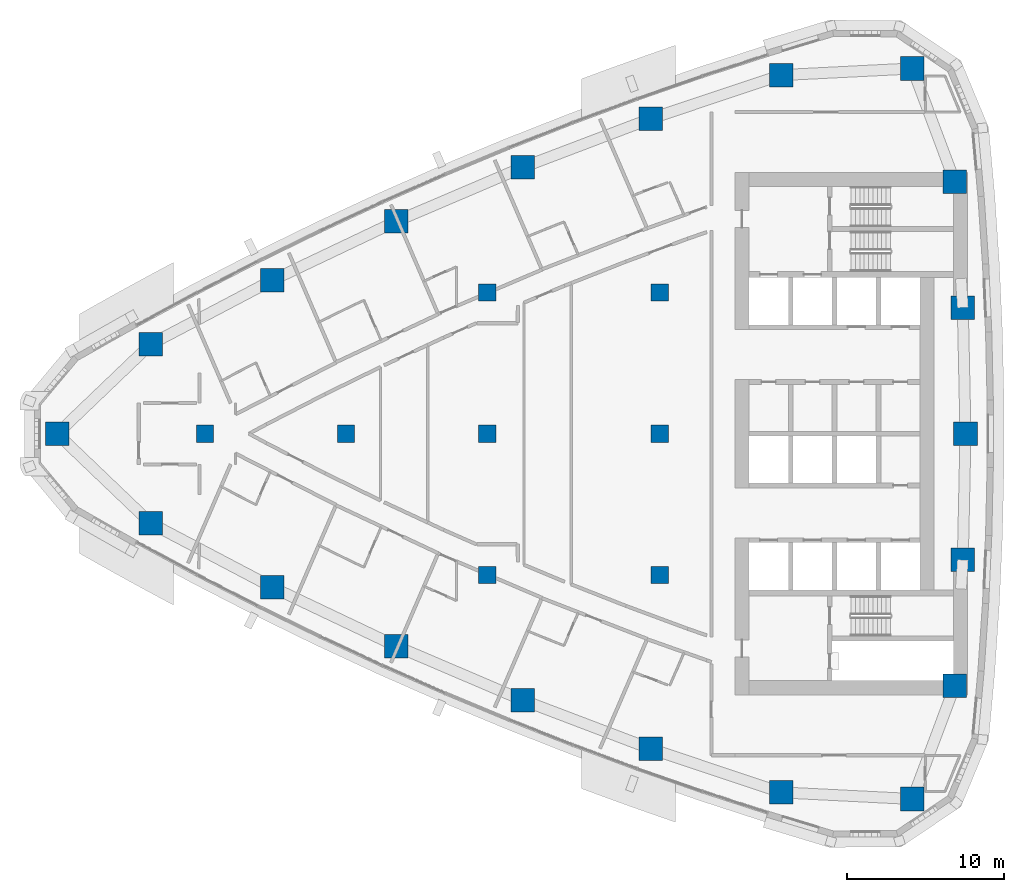
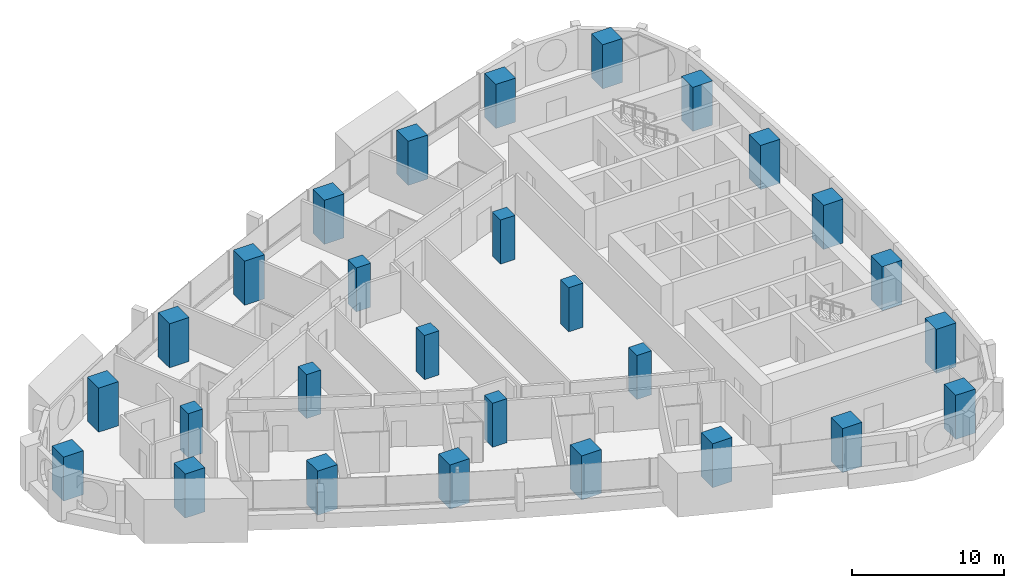
# One storey, part 1 of 17: 28 columns.
"""IFC4 building model written with IfcOpenShell, lengths in metres."""

from ifc_helpers import new_model, si_unit, direction, frame, origin, origin_2d, place, context, subcontext, project, spatial, rectangle, extrude, material, material_profile, profile_set, type_object, element, save


model = new_model("IFC4")

# Units and contexts
model_context = context("Model", 3, precision=1e-05, world=origin(), true_north=direction((0.0, 1.0)))
body_context = subcontext(model_context, "Body", "Model", "MODEL_VIEW")
ifc_project = project(units=[si_unit("LENGTHUNIT", "METRE"), si_unit("AREAUNIT", "SQUARE_METRE"), si_unit("VOLUMEUNIT", "CUBIC_METRE"), si_unit("PLANEANGLEUNIT", "RADIAN"), si_unit("MASSUNIT", "GRAM", prefix="KILO")], contexts=[model_context])

# Site, building, storey
site_placement = place(None, origin())
site = spatial("IfcSite", under=ifc_project, at=site_placement, CompositionType="ELEMENT")
building_placement = place(site_placement, origin())
building = spatial("IfcBuilding", under=site, at=building_placement, Name="Ostrand Prow Hotel Tower", CompositionType="ELEMENT")
storey_placement = place(building_placement, frame((0.0, 0.0, 137.300048828125)))
storey = spatial("IfcBuildingStorey", under=building, at=storey_placement, Name="L33", CompositionType="ELEMENT", Elevation=137.300048828125)

# Columns
ifc_material_1 = material(Name="Concrete C70/85", Category="concrete")
ifc_material_profile_1 = material_profile(ifc_material_1, rectangle(XDim=1.10009765625, YDim=1.10009765625, at=origin_2d()), Name="RC 1100x1100")
ifc_profile_set_1 = profile_set([ifc_material_profile_1], Name="Concrete C70/85")
column_type_1 = type_object("IfcColumnType", Name="Interior column 1100x1100 C70/85", PredefinedType="COLUMN", material=ifc_profile_set_1)
for number, where, z_axis, x_axis, name in (
    (1, (16.0, 0.0, 0.0), (0.0, 0.0, 1.0), (1.0, 0.0, 0.0), "Interior column 16C0"),
    (2, (25.0, 0.0, 0.0), (0.0, 0.0, 1.0), (1.0, 0.0, 0.0), "Interior column 25C0"),
    (3, (34.0, -9.0, 0.0), (0.0, 0.0, 1.0), (1.0, 0.0, 0.0), "Interior column 34S9"),
    (4, (34.0, 0.0, 0.0), (0.0, 0.0, 1.0), (1.0, 0.0, 0.0), "Interior column 34C0"),
    (5, (34.0, 9.0, 0.0), (0.0, 0.0, 1.0), (1.0, 0.0, 0.0), "Interior column 34N9"),
    (6, (45.0, -9.0, 0.0), (0.0, 0.0, 1.0), (1.0, 0.0, 0.0), "Interior column 45S9"),
    (7, (45.0, 0.0, 0.0), (0.0, 0.0, 1.0), (1.0, 0.0, 0.0), "Interior column 45C0"),
    (8, (45.0, 9.0, 0.0), (0.0, 0.0, 1.0), (1.0, 0.0, 0.0), "Interior column 45N9"),
):
    element("IfcColumn", number, at=place(storey_placement, frame(where, z_axis=z_axis, x_axis=x_axis)), inside=storey, type_object=column_type_1, Name=name, PredefinedType="COLUMN", context=body_context, shape_type="SweptSolid", body=[
        extrude(rectangle(XDim=1.10009765625, YDim=1.10009765625, at=origin_2d()), origin(), (0.0, 0.0, 1.0), 3.550048828125),
    ])
ifc_material_2 = material(Name="Concrete C70/85", Category="concrete")
ifc_material_profile_2 = material_profile(ifc_material_2, rectangle(XDim=1.5, YDim=1.5, at=origin_2d()), Name="RC 1500x1500")
ifc_profile_set_2 = profile_set([ifc_material_profile_2], Name="Concrete C70/85")
column_type_2 = type_object("IfcColumnType", Name="Stone-faced mega column 1500x1500 C70/85", PredefinedType="COLUMN", material=ifc_profile_set_2)
for number, where, z_axis, x_axis, name in (
    (9, (6.580078125, 0.0, 0.0), (0.0, 0.0, 1.0), (1.0, 0.0, 0.0), "Mega column P"),
    (10, (12.55322265625, -5.712646484375, 0.0), (0.0, 0.0, 1.0), (1.0, 0.0, 0.0), "Mega column S1"),
    (11, (20.300048828125, -9.787841796875, 0.0), (0.0, 0.0, 1.0), (1.0, 0.0, 0.0), "Mega column S2"),
    (12, (28.205078125, -13.547119140625, 0.0), (0.0, 0.0, 1.0), (1.0, 0.0, 0.0), "Mega column S3"),
    (13, (36.255615234375, -16.98388671875, 0.0), (0.0, 0.0, 1.0), (1.0, 0.0, 0.0), "Mega column S4"),
    (14, (44.438232421875, -20.093017578125, 0.0), (0.0, 0.0, 1.0), (1.0, 0.0, 0.0), "Mega column S5"),
    (15, (52.73974609375, -22.869140625, 0.0), (0.0, 0.0, 1.0), (1.0, 0.0, 0.0), "Mega column S6"),
    (16, (61.117431640625, -23.29052734375, 0.0), (0.0, 0.0, 1.0), (1.0, 0.0, 0.0), "Mega column SE"),
    (17, (63.818603515625, -16.074951171875, 0.0), (0.0, 0.0, 1.0), (1.0, 0.0, 0.0), "Mega column B1"),
    (18, (64.32958984375, -8.044677734375, 0.0), (0.0, 0.0, 1.0), (1.0, 0.0, 0.0), "Mega column B2"),
    (19, (64.5, 0.0, 0.0), (0.0, 0.0, 1.0), (1.0, 0.0, 0.0), "Mega column B3"),
    (20, (64.32958984375, 8.044677734375, 0.0), (0.0, 0.0, 1.0), (1.0, 0.0, 0.0), "Mega column B4"),
    (21, (63.818603515625, 16.074951171875, 0.0), (0.0, 0.0, 1.0), (1.0, 0.0, 0.0), "Mega column B5"),
    (22, (61.117431640625, 23.29052734375, 0.0), (0.0, 0.0, 1.0), (1.0, 0.0, 0.0), "Mega column NE"),
    (23, (52.73974609375, 22.869140625, 0.0), (0.0, 0.0, 1.0), (1.0, 0.0, 0.0), "Mega column N1"),
    (24, (44.438232421875, 20.093017578125, 0.0), (0.0, 0.0, 1.0), (1.0, 0.0, 0.0), "Mega column N2"),
    (25, (36.255615234375, 16.98388671875, 0.0), (0.0, 0.0, 1.0), (1.0, 0.0, 0.0), "Mega column N3"),
    (26, (28.205078125, 13.547119140625, 0.0), (0.0, 0.0, 1.0), (1.0, 0.0, 0.0), "Mega column N4"),
    (27, (20.300048828125, 9.787841796875, 0.0), (0.0, 0.0, 1.0), (1.0, 0.0, 0.0), "Mega column N5"),
    (28, (12.55322265625, 5.712646484375, 0.0), (0.0, 0.0, 1.0), (1.0, 0.0, 0.0), "Mega column N6"),
):
    element("IfcColumn", number, at=place(storey_placement, frame(where, z_axis=z_axis, x_axis=x_axis)), inside=storey, type_object=column_type_2, Name=name, PredefinedType="COLUMN", context=body_context, shape_type="SweptSolid", body=[
        extrude(rectangle(XDim=1.5, YDim=1.5, at=origin_2d()), origin(), (0.0, 0.0, 1.0), 3.550048828125),
    ])

save(model, "model.ifc")
